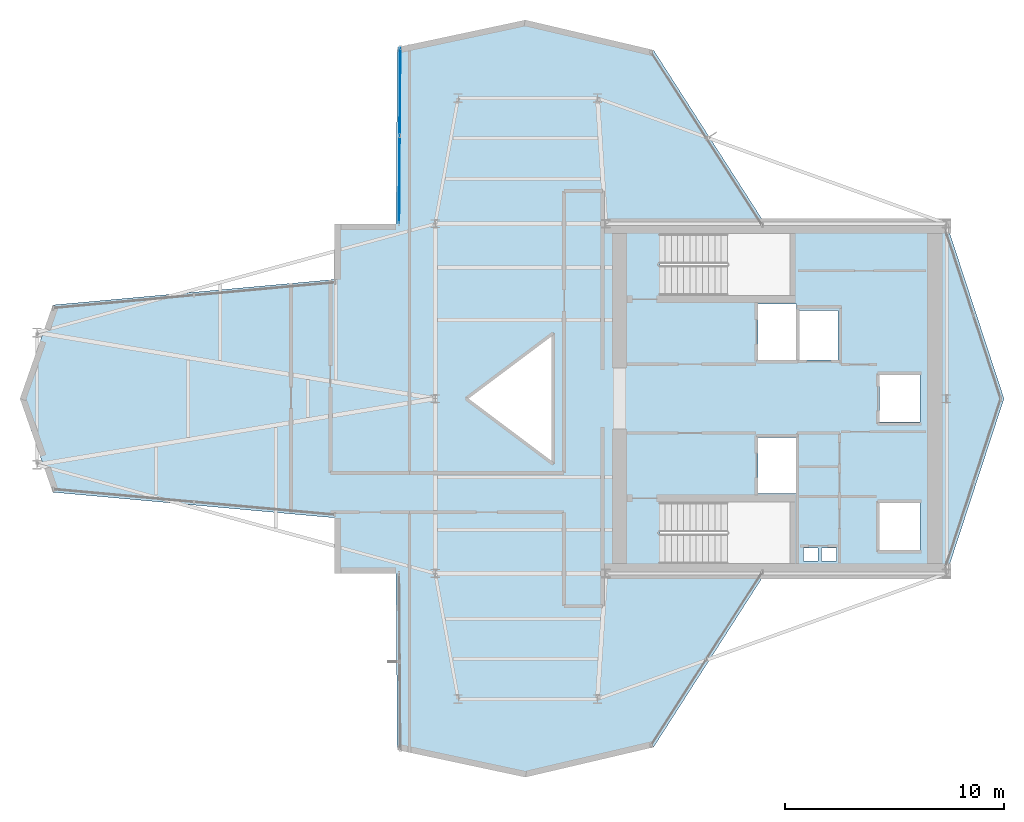
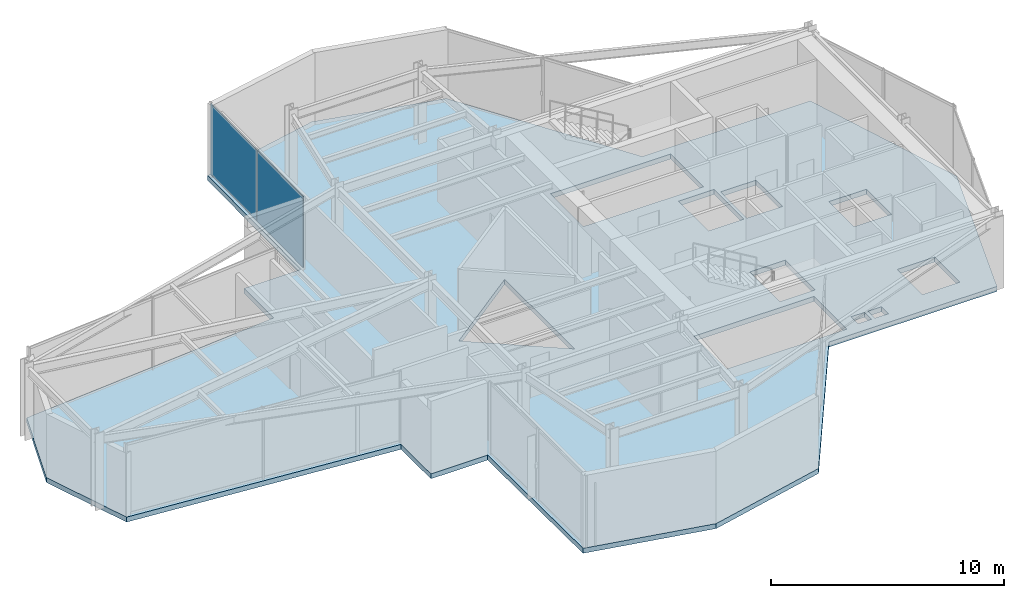
# One storey, part 19 of 23: 2 plates, 1 slab, 1 element without a shape of its own.
"""IFC4 building model written with IfcOpenShell, lengths in metres."""

import ifcopenshell
import ifcopenshell.guid

model = None  # the IFC model being written
_history = None  # IfcOwnerHistory: only IFC2X3 demands one
_inside = {}  # id of a spatial element -> (the spatial element, [elements in it])
_under = {}  # id of a project, library or spatial element -> (it, [spatial elements below it])
_declared = {}  # id of a project -> (the project, [libraries it declares])
_typed = {}  # id of a type object -> (the type object, [elements of that type])
_made_of = {}  # id of a material, layer set ... -> (it, [elements and type objects made of it])


def new_model(schema):
    """Start an empty IFC model of exactly this schema.

    Asked for "IFC4X3", IfcOpenShell would pick the latest addendum, in which some entities
    have other attributes; the version numbers below select the first issue.
    IFC2X3 requires an IfcOwnerHistory on every rooted entity: one is made here for all.
    """
    global model, _history
    if schema == "IFC4X3":
        model = ifcopenshell.file(schema_version=(4, 3, 0, 0))
    else:
        model = ifcopenshell.file(schema=schema)
    _inside.clear()
    _under.clear()
    _declared.clear()
    _typed.clear()
    _made_of.clear()
    _history = None
    if model.schema == "IFC2X3":
        org = make("IfcOrganization", Name="unknown")
        user = make(
            "IfcPersonAndOrganization",
            ThePerson=make("IfcPerson", FamilyName="unknown"),
            TheOrganization=org,
        )
        app = make(
            "IfcApplication",
            ApplicationDeveloper=org,
            Version="unknown",
            ApplicationFullName="unknown",
            ApplicationIdentifier="unknown",
        )
        _history = make(
            "IfcOwnerHistory",
            OwningUser=user,
            OwningApplication=app,
            ChangeAction="ADDED",
            CreationDate=0,
        )
    return model


def make(cls, **values):
    """One entity of the class cls with the attributes given. An attribute that is None is left unset."""
    return model.create_entity(
        cls, **{name: value for name, value in values.items() if value is not None}
    )


def rooted(cls, **values):
    """An entity with a GlobalId (a new one), such as an element, a storey or a relation."""
    return make(cls, GlobalId=ifcopenshell.guid.new(), OwnerHistory=_history, **values)


def si_unit(unit_type, name, prefix=None):
    """IfcSIUnit, for example si_unit("LENGTHUNIT", "METRE", prefix="MILLI")."""
    return make("IfcSIUnit", UnitType=unit_type, Prefix=prefix, Name=name)


def assignment(units):
    """IfcUnitAssignment: the units of a project."""
    return None if units is None else make("IfcUnitAssignment", Units=units)


def point(xyz):
    """IfcCartesianPoint."""
    return None if xyz is None else make("IfcCartesianPoint", Coordinates=xyz)


def direction(xyz):
    """IfcDirection."""
    return None if xyz is None else make("IfcDirection", DirectionRatios=xyz)


def frame(location, z_axis=None, x_axis=None):
    """IfcAxis2Placement3D, a coordinate frame: its origin and axes. An axis left out is left unset."""
    return make(
        "IfcAxis2Placement3D",
        Location=point(location),
        Axis=direction(z_axis),
        RefDirection=direction(x_axis),
    )


def frame_2d(location, x_axis=None):
    """IfcAxis2Placement2D, a coordinate frame in the plane: its origin and x axis."""
    return make(
        "IfcAxis2Placement2D", Location=point(location), RefDirection=direction(x_axis)
    )


def origin():
    """The frame at (0, 0, 0) with its axes left unset."""
    return frame((0.0, 0.0, 0.0))


def origin_2d():
    """The frame at (0, 0) in the plane with its x axis left unset."""
    return frame_2d((0.0, 0.0))


def place(relative_to, where):
    """IfcLocalPlacement: puts the frame where relative to a parent placement (None: the world)."""
    return make(
        "IfcLocalPlacement", PlacementRelTo=relative_to, RelativePlacement=where
    )


def context(
    kind, dimensions, precision=None, world=None, true_north=None, identifier=None
):
    """IfcGeometricRepresentationContext, for example the 3D "Model" context."""
    return make(
        "IfcGeometricRepresentationContext",
        ContextIdentifier=identifier,
        ContextType=kind,
        CoordinateSpaceDimension=dimensions,
        Precision=precision,
        WorldCoordinateSystem=world,
        TrueNorth=true_north,
    )


def subcontext(parent, identifier, kind, view, scale=None):
    """IfcGeometricRepresentationSubContext, for example "Body" below "Model"."""
    return make(
        "IfcGeometricRepresentationSubContext",
        ContextIdentifier=identifier,
        ContextType=kind,
        ParentContext=parent,
        TargetScale=scale,
        TargetView=view,
    )


def project(units=None, contexts=None):
    """IfcProject with its units and contexts."""
    return rooted(
        "IfcProject",
        Name="project",
        RepresentationContexts=contexts,
        UnitsInContext=assignment(units),
    )


def spatial(cls, under=None, at=None, **own):
    """A site, building, storey or space (cls), placed at a placement, below another one or the project."""
    s = rooted(cls, ObjectPlacement=at, **own)
    if under is not None:
        _under.setdefault(under.id(), (under, []))[1].append(s)
    return s


def polyline(points):
    """IfcPolyline through the points."""
    return make("IfcPolyline", Points=[point(p) for p in points])


def profile(cls, at=None, kind="AREA", **sizes):
    """A parametric profile (cls). Its sizes go by their IFC names, for example OverallWidth=200.0."""
    return make(cls, ProfileType=kind, Position=at, **sizes)


def rectangle(**sizes):
    """IfcRectangleProfileDef."""
    return profile("IfcRectangleProfileDef", **sizes)


def outline(outer, holes=None, kind="AREA"):
    """IfcArbitraryClosedProfileDef: a profile drawn as a closed curve; with holes, ...WithVoids."""
    if holes is None:
        return make("IfcArbitraryClosedProfileDef", ProfileType=kind, OuterCurve=outer)
    return make(
        "IfcArbitraryProfileDefWithVoids",
        ProfileType=kind,
        OuterCurve=outer,
        InnerCurves=holes,
    )


def extrude(swept, where, along, depth):
    """IfcExtrudedAreaSolid: the profile swept, set in the frame where, extruded along a direction by depth."""
    return make(
        "IfcExtrudedAreaSolid",
        SweptArea=swept,
        Position=where,
        ExtrudedDirection=direction(along),
        Depth=depth,
    )


def shape(context_of_items, identifier, shape_type, items):
    """IfcShapeRepresentation: the items that make up one representation, for example the "Body"."""
    return make(
        "IfcShapeRepresentation",
        ContextOfItems=context_of_items,
        RepresentationIdentifier=identifier,
        RepresentationType=shape_type,
        Items=items,
    )


def material(Name=None, Category=None):
    """IfcMaterial."""
    return make("IfcMaterial", Name=Name, Category=Category)


def layer(
    of_material, thickness, ventilated=None, Name=None, Category=None, Priority=None
):
    """IfcMaterialLayer: one layer of a wall or slab, of a material (None: an air gap)."""
    return make(
        "IfcMaterialLayer",
        Material=of_material,
        LayerThickness=thickness,
        IsVentilated=ventilated,
        Name=Name,
        Category=Category,
        Priority=Priority,
    )


def layer_set(layers, Name=None):
    """IfcMaterialLayerSet."""
    return make("IfcMaterialLayerSet", MaterialLayers=layers, LayerSetName=Name)


def made_of(thing, what):
    """Note that an element or type object is made of a material, layer set ...; save() writes the relation."""
    if what is not None:
        _made_of.setdefault(what.id(), (what, []))[1].append(thing)
    return thing


def type_object(cls, material=None, **own):
    """A type object (cls), such as IfcWallType, which elements share."""
    return made_of(rooted(cls, **own), material)


def element(
    cls,
    number,
    at=None,
    inside=None,
    cuts=None,
    type_object=None,
    material=None,
    context=None,
    identifier="Body",
    shape_type=None,
    held_by="IfcProductDefinitionShape",
    body=None,
    shapes=None,
    **own,
):
    """One element of the class cls, such as IfcWall. Its Tag is "e" and its number.

    at: its placement. inside: the storey or other place that contains it. cuts: it is an
    opening in that element (IfcRelVoidsElement). A single representation is given by context,
    identifier, shape_type and body (its items); several are given by shapes. held_by: the class
    of the entity that holds the representations. save() writes the other relations.
    """
    e = rooted(cls, Tag="e%d" % number, ObjectPlacement=at, **own)
    if body is not None:
        shapes = [shape(context, identifier, shape_type, body)]
    if shapes is not None:
        e.Representation = make(held_by, Representations=shapes)
    if inside is not None:
        _inside.setdefault(inside.id(), (inside, []))[1].append(e)
    if cuts is not None:
        rooted(
            "IfcRelVoidsElement", RelatingBuildingElement=cuts, RelatedOpeningElement=e
        )
    if type_object is not None:
        _typed.setdefault(type_object.id(), (type_object, []))[1].append(e)
    return made_of(e, material)


def aggregate(whole, parts):
    """IfcRelAggregates: a whole, such as a stair, and the parts it consists of."""
    return rooted("IfcRelAggregates", RelatingObject=whole, RelatedObjects=parts)


def save(model, path):
    """Write the relations noted so far, then the file.

    IfcRelAggregates (storeys below a building ...), IfcRelContainedInSpatialStructure (elements
    in a storey), IfcRelDefinesByType, IfcRelAssociatesMaterial and IfcRelDeclares: one each for
    every whole, place, type object, material and project.
    """
    for whole, parts in _under.values():
        aggregate(whole, parts)
    for where, things in _inside.values():
        rooted(
            "IfcRelContainedInSpatialStructure",
            RelatedElements=things,
            RelatingStructure=where,
        )
    for kind, things in _typed.values():
        rooted("IfcRelDefinesByType", RelatedObjects=things, RelatingType=kind)
    for what, things in _made_of.values():
        rooted("IfcRelAssociatesMaterial", RelatedObjects=things, RelatingMaterial=what)
    for by, libraries in _declared.values():
        rooted("IfcRelDeclares", RelatingContext=by, RelatedDefinitions=libraries)
    model.write(path)


model = new_model("IFC4")

# Units and contexts
model_context = context("Model", 3, precision=1e-05, world=origin(), true_north=direction((0.0, 1.0)))
body_context = subcontext(model_context, "Body", "Model", "MODEL_VIEW")
ifc_project = project(units=[si_unit("LENGTHUNIT", "METRE"), si_unit("AREAUNIT", "SQUARE_METRE"), si_unit("VOLUMEUNIT", "CUBIC_METRE"), si_unit("PLANEANGLEUNIT", "RADIAN"), si_unit("MASSUNIT", "GRAM", prefix="KILO")], contexts=[model_context])

# Site, building, storey
site_placement = place(None, origin())
site = spatial("IfcSite", under=ifc_project, at=site_placement, CompositionType="ELEMENT")
building_placement = place(site_placement, origin())
building = spatial("IfcBuilding", under=site, at=building_placement, Name="Veymaron Broadcast Tower", CompositionType="ELEMENT")
storey_placement = place(building_placement, frame((0.0, 0.0, 191.85009765625)))
storey = spatial("IfcBuildingStorey", under=building, at=storey_placement, Name="L44", CompositionType="ELEMENT", Elevation=191.85009765625)

# Curtain wall, plates
ifc_material_1 = material(Name="Anodised aluminium AA 6063-T6 and laminated low-E dark glass", Category="aluminium")
ifc_layer_1 = layer(ifc_material_1, 0.179931640625)
ifc_layer_set_1 = layer_set([ifc_layer_1], Name="Anodised aluminium AA 6063-T6 and laminated low-E dark glass")
curtain_wall_type = type_object("IfcCurtainWallType", Name="CW-SYS-05", PredefinedType="NOTDEFINED", material=ifc_layer_set_1)
curtain_wall_placement = place(storey_placement, origin())
curtain_wall = element("IfcCurtainWall", 1, at=curtain_wall_placement, inside=storey, type_object=curtain_wall_type, Name="L44 dark-glass curtain wall CW-L44-E8-1", PredefinedType="NOTDEFINED")
ifc_material_2 = material(Name="Double-silver solar-control dark glass IGU 32 mm", Category="glass")
ifc_layer_2 = layer(ifc_material_2, 0.031982421875)
ifc_layer_set_2 = layer_set([ifc_layer_2], Name="Double-silver solar-control dark glass IGU 32 mm")
plate_type = type_object("IfcPlateType", Name="CW-PNL-02", PredefinedType="CURTAIN_PANEL", material=ifc_layer_set_2)
plate_1_placement = place(storey_placement, frame((29.5888671875, 38.055419921875, 0.0400390625), z_axis=(0.0, 0.0, 1.0), x_axis=(-0.007138336016, -0.999974521755, 0.0)))
plate_1 = element("IfcPlate", 2, at=plate_1_placement, type_object=plate_type, Name="CW-L44-E8-1 unitised curtain panel 0", PredefinedType="CURTAIN_PANEL", context=body_context, shape_type="SweptSolid", body=[
    extrude(rectangle(XDim=3.9775390625, YDim=0.031982421875, at=origin_2d()), origin(), (0.0, 0.0, 1.0), 3.7099609375),
])
plate_2_placement = place(storey_placement, frame((29.56005859375, 34.017578125, 0.0400390625), z_axis=(0.0, 0.0, 1.0), x_axis=(-0.007138336016, -0.999974521755, 0.0)))
plate_2 = element("IfcPlate", 3, at=plate_2_placement, type_object=plate_type, Name="CW-L44-E8-1 unitised curtain panel 1", PredefinedType="CURTAIN_PANEL", context=body_context, shape_type="SweptSolid", body=[
    extrude(rectangle(XDim=3.9775390625, YDim=0.031982421875, at=origin_2d()), origin(), (0.0, 0.0, 1.0), 3.7099609375),
])
aggregate(curtain_wall, [plate_1, plate_2])

# Slab
ifc_material_3 = material(Name="Concrete C40/50", Category="concrete")
ifc_layer_3 = layer(ifc_material_3, 0.260009765625)
ifc_layer_set_3 = layer_set([ifc_layer_3], Name="Concrete C40/50")
slab_type = type_object("IfcSlabType", Name="SLAB-FS5", PredefinedType="FLOOR", material=ifc_layer_set_3)
slab_placement = place(storey_placement, frame((0.0, 0.0, -0.260009765625)))
element("IfcSlab", 4, at=slab_placement, inside=storey, type_object=slab_type, Name="L44 structural floor slab", PredefinedType="FLOOR", context=body_context, shape_type="SweptSolid", body=[
    extrude(outline(polyline([(46.286865234375, 16.0), (54.60009765625, 16.0), (57.22509765625, 24.0), (54.60009765625, 32.0), (46.286865234375, 32.0), (41.186767578125, 39.949951171875), (35.324951171875, 41.324951171875), (29.46337890625, 40.074951171875), (29.40576171875, 32.0), (26.60009765625, 32.0), (26.60009765625, 29.45458984375), (13.699951171875, 28.283447265625), (12.199951171875, 24.0), (13.699951171875, 19.716552734375), (26.60009765625, 18.54541015625), (26.60009765625, 16.0), (29.40576171875, 16.0), (29.46337890625, 7.925048828125), (35.324951171875, 6.675048828125), (41.186767578125, 8.050048828125), (46.286865234375, 16.0)]), holes=[polyline([(45.969970703125, 28.330078125), (47.72998046875, 28.330078125), (47.72998046875, 25.77001953125), (45.969970703125, 25.77001953125), (45.969970703125, 28.330078125)]), polyline([(45.969970703125, 22.22998046875), (47.72998046875, 22.22998046875), (47.72998046875, 19.669921875), (45.969970703125, 19.669921875), (45.969970703125, 22.22998046875)]), polyline([(47.8701171875, 28.030029296875), (49.6298828125, 28.030029296875), (49.6298828125, 25.77001953125), (47.8701171875, 25.77001953125), (47.8701171875, 28.030029296875)]), polyline([(51.52001953125, 25.080078125), (53.3798828125, 25.080078125), (53.3798828125, 22.919921875), (51.52001953125, 22.919921875), (51.52001953125, 25.080078125)]), polyline([(51.52001953125, 19.22998046875), (53.3798828125, 19.22998046875), (53.3798828125, 17.070068359375), (51.52001953125, 17.070068359375), (51.52001953125, 19.22998046875)]), polyline([(48.050048828125, 17.159912109375), (48.719970703125, 17.159912109375), (48.719970703125, 16.56005859375), (48.050048828125, 16.56005859375), (48.050048828125, 17.159912109375)]), polyline([(48.8798828125, 17.159912109375), (49.550048828125, 17.159912109375), (49.550048828125, 16.56005859375), (48.8798828125, 16.56005859375), (48.8798828125, 17.159912109375)]), polyline([(36.60009765625, 27.0), (36.60009765625, 21.0), (32.60009765625, 24.0), (36.60009765625, 27.0)]), polyline([(41.489990234375, 31.550048828125), (47.43994140625, 31.550048828125), (47.43994140625, 28.72998046875), (41.489990234375, 28.72998046875), (41.489990234375, 31.550048828125)]), polyline([(41.489990234375, 19.27001953125), (47.43994140625, 19.27001953125), (47.43994140625, 16.449951171875), (41.489990234375, 16.449951171875), (41.489990234375, 19.27001953125)])]), origin(), (0.0, 0.0, 1.0), 0.260009765625),
])

save(model, "model.ifc")
